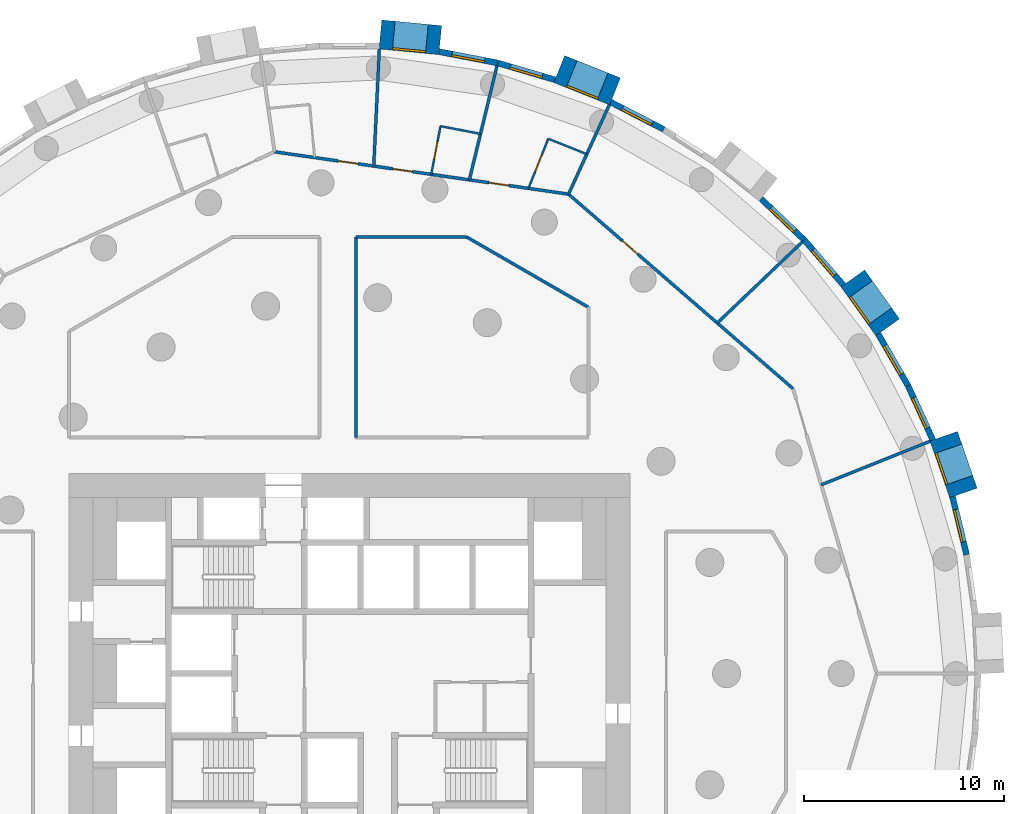
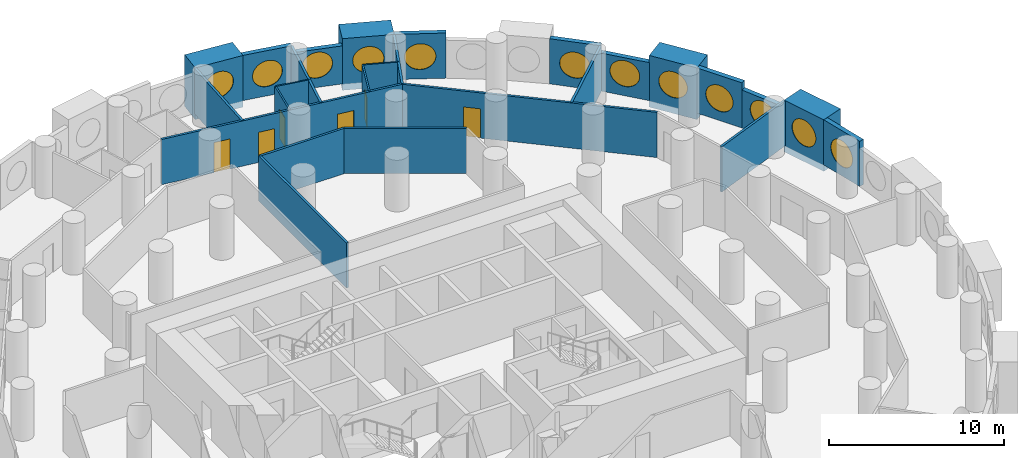
# One storey, part 9 of 11: 26 walls, 12 windows, 6 doors, 18 openings.
"""IFC4 building model written with IfcOpenShell, lengths in metres."""

import ifcopenshell
import ifcopenshell.guid

model = None  # the IFC model being written
_history = None  # IfcOwnerHistory: only IFC2X3 demands one
_inside = {}  # id of a spatial element -> (the spatial element, [elements in it])
_under = {}  # id of a project, library or spatial element -> (it, [spatial elements below it])
_declared = {}  # id of a project -> (the project, [libraries it declares])
_typed = {}  # id of a type object -> (the type object, [elements of that type])
_made_of = {}  # id of a material, layer set ... -> (it, [elements and type objects made of it])


def new_model(schema):
    """Start an empty IFC model of exactly this schema.

    Asked for "IFC4X3", IfcOpenShell would pick the latest addendum, in which some entities
    have other attributes; the version numbers below select the first issue.
    IFC2X3 requires an IfcOwnerHistory on every rooted entity: one is made here for all.
    """
    global model, _history
    if schema == "IFC4X3":
        model = ifcopenshell.file(schema_version=(4, 3, 0, 0))
    else:
        model = ifcopenshell.file(schema=schema)
    _inside.clear()
    _under.clear()
    _declared.clear()
    _typed.clear()
    _made_of.clear()
    _history = None
    if model.schema == "IFC2X3":
        org = make("IfcOrganization", Name="unknown")
        user = make(
            "IfcPersonAndOrganization",
            ThePerson=make("IfcPerson", FamilyName="unknown"),
            TheOrganization=org,
        )
        app = make(
            "IfcApplication",
            ApplicationDeveloper=org,
            Version="unknown",
            ApplicationFullName="unknown",
            ApplicationIdentifier="unknown",
        )
        _history = make(
            "IfcOwnerHistory",
            OwningUser=user,
            OwningApplication=app,
            ChangeAction="ADDED",
            CreationDate=0,
        )
    return model


def make(cls, **values):
    """One entity of the class cls with the attributes given. An attribute that is None is left unset."""
    return model.create_entity(
        cls, **{name: value for name, value in values.items() if value is not None}
    )


def rooted(cls, **values):
    """An entity with a GlobalId (a new one), such as an element, a storey or a relation."""
    return make(cls, GlobalId=ifcopenshell.guid.new(), OwnerHistory=_history, **values)


def si_unit(unit_type, name, prefix=None):
    """IfcSIUnit, for example si_unit("LENGTHUNIT", "METRE", prefix="MILLI")."""
    return make("IfcSIUnit", UnitType=unit_type, Prefix=prefix, Name=name)


def assignment(units):
    """IfcUnitAssignment: the units of a project."""
    return None if units is None else make("IfcUnitAssignment", Units=units)


def point(xyz):
    """IfcCartesianPoint."""
    return None if xyz is None else make("IfcCartesianPoint", Coordinates=xyz)


def direction(xyz):
    """IfcDirection."""
    return None if xyz is None else make("IfcDirection", DirectionRatios=xyz)


def frame(location, z_axis=None, x_axis=None):
    """IfcAxis2Placement3D, a coordinate frame: its origin and axes. An axis left out is left unset."""
    return make(
        "IfcAxis2Placement3D",
        Location=point(location),
        Axis=direction(z_axis),
        RefDirection=direction(x_axis),
    )


def frame_2d(location, x_axis=None):
    """IfcAxis2Placement2D, a coordinate frame in the plane: its origin and x axis."""
    return make(
        "IfcAxis2Placement2D", Location=point(location), RefDirection=direction(x_axis)
    )


def origin():
    """The frame at (0, 0, 0) with its axes left unset."""
    return frame((0.0, 0.0, 0.0))


def origin_2d():
    """The frame at (0, 0) in the plane with its x axis left unset."""
    return frame_2d((0.0, 0.0))


def place(relative_to, where):
    """IfcLocalPlacement: puts the frame where relative to a parent placement (None: the world)."""
    return make(
        "IfcLocalPlacement", PlacementRelTo=relative_to, RelativePlacement=where
    )


def context(
    kind, dimensions, precision=None, world=None, true_north=None, identifier=None
):
    """IfcGeometricRepresentationContext, for example the 3D "Model" context."""
    return make(
        "IfcGeometricRepresentationContext",
        ContextIdentifier=identifier,
        ContextType=kind,
        CoordinateSpaceDimension=dimensions,
        Precision=precision,
        WorldCoordinateSystem=world,
        TrueNorth=true_north,
    )


def subcontext(parent, identifier, kind, view, scale=None):
    """IfcGeometricRepresentationSubContext, for example "Body" below "Model"."""
    return make(
        "IfcGeometricRepresentationSubContext",
        ContextIdentifier=identifier,
        ContextType=kind,
        ParentContext=parent,
        TargetScale=scale,
        TargetView=view,
    )


def project(units=None, contexts=None):
    """IfcProject with its units and contexts."""
    return rooted(
        "IfcProject",
        Name="project",
        RepresentationContexts=contexts,
        UnitsInContext=assignment(units),
    )


def spatial(cls, under=None, at=None, **own):
    """A site, building, storey or space (cls), placed at a placement, below another one or the project."""
    s = rooted(cls, ObjectPlacement=at, **own)
    if under is not None:
        _under.setdefault(under.id(), (under, []))[1].append(s)
    return s


def profile(cls, at=None, kind="AREA", **sizes):
    """A parametric profile (cls). Its sizes go by their IFC names, for example OverallWidth=200.0."""
    return make(cls, ProfileType=kind, Position=at, **sizes)


def rectangle(**sizes):
    """IfcRectangleProfileDef."""
    return profile("IfcRectangleProfileDef", **sizes)


def circle(**sizes):
    """IfcCircleProfileDef."""
    return profile("IfcCircleProfileDef", **sizes)


def extrude(swept, where, along, depth):
    """IfcExtrudedAreaSolid: the profile swept, set in the frame where, extruded along a direction by depth."""
    return make(
        "IfcExtrudedAreaSolid",
        SweptArea=swept,
        Position=where,
        ExtrudedDirection=direction(along),
        Depth=depth,
    )


def shape(context_of_items, identifier, shape_type, items):
    """IfcShapeRepresentation: the items that make up one representation, for example the "Body"."""
    return make(
        "IfcShapeRepresentation",
        ContextOfItems=context_of_items,
        RepresentationIdentifier=identifier,
        RepresentationType=shape_type,
        Items=items,
    )


def material(Name=None, Category=None):
    """IfcMaterial."""
    return make("IfcMaterial", Name=Name, Category=Category)


def layer(
    of_material, thickness, ventilated=None, Name=None, Category=None, Priority=None
):
    """IfcMaterialLayer: one layer of a wall or slab, of a material (None: an air gap)."""
    return make(
        "IfcMaterialLayer",
        Material=of_material,
        LayerThickness=thickness,
        IsVentilated=ventilated,
        Name=Name,
        Category=Category,
        Priority=Priority,
    )


def layer_set(layers, Name=None):
    """IfcMaterialLayerSet."""
    return make("IfcMaterialLayerSet", MaterialLayers=layers, LayerSetName=Name)


def made_of(thing, what):
    """Note that an element or type object is made of a material, layer set ...; save() writes the relation."""
    if what is not None:
        _made_of.setdefault(what.id(), (what, []))[1].append(thing)
    return thing


def type_object(cls, material=None, **own):
    """A type object (cls), such as IfcWallType, which elements share."""
    return made_of(rooted(cls, **own), material)


def element(
    cls,
    number,
    at=None,
    inside=None,
    cuts=None,
    type_object=None,
    material=None,
    context=None,
    identifier="Body",
    shape_type=None,
    held_by="IfcProductDefinitionShape",
    body=None,
    shapes=None,
    **own,
):
    """One element of the class cls, such as IfcWall. Its Tag is "e" and its number.

    at: its placement. inside: the storey or other place that contains it. cuts: it is an
    opening in that element (IfcRelVoidsElement). A single representation is given by context,
    identifier, shape_type and body (its items); several are given by shapes. held_by: the class
    of the entity that holds the representations. save() writes the other relations.
    """
    e = rooted(cls, Tag="e%d" % number, ObjectPlacement=at, **own)
    if body is not None:
        shapes = [shape(context, identifier, shape_type, body)]
    if shapes is not None:
        e.Representation = make(held_by, Representations=shapes)
    if inside is not None:
        _inside.setdefault(inside.id(), (inside, []))[1].append(e)
    if cuts is not None:
        rooted(
            "IfcRelVoidsElement", RelatingBuildingElement=cuts, RelatedOpeningElement=e
        )
    if type_object is not None:
        _typed.setdefault(type_object.id(), (type_object, []))[1].append(e)
    return made_of(e, material)


def fill(opening, filler):
    """IfcRelFillsElement: the door or window that sits in an opening."""
    return rooted(
        "IfcRelFillsElement",
        RelatingOpeningElement=opening,
        RelatedBuildingElement=filler,
    )


def aggregate(whole, parts):
    """IfcRelAggregates: a whole, such as a stair, and the parts it consists of."""
    return rooted("IfcRelAggregates", RelatingObject=whole, RelatedObjects=parts)


def save(model, path):
    """Write the relations noted so far, then the file.

    IfcRelAggregates (storeys below a building ...), IfcRelContainedInSpatialStructure (elements
    in a storey), IfcRelDefinesByType, IfcRelAssociatesMaterial and IfcRelDeclares: one each for
    every whole, place, type object, material and project.
    """
    for whole, parts in _under.values():
        aggregate(whole, parts)
    for where, things in _inside.values():
        rooted(
            "IfcRelContainedInSpatialStructure",
            RelatedElements=things,
            RelatingStructure=where,
        )
    for kind, things in _typed.values():
        rooted("IfcRelDefinesByType", RelatedObjects=things, RelatingType=kind)
    for what, things in _made_of.values():
        rooted("IfcRelAssociatesMaterial", RelatedObjects=things, RelatingMaterial=what)
    for by, libraries in _declared.values():
        rooted("IfcRelDeclares", RelatingContext=by, RelatedDefinitions=libraries)
    model.write(path)


model = new_model("IFC4")

# Units and contexts
model_context = context("Model", 3, precision=1e-05, world=origin(), true_north=direction((0.0, 1.0)))
body_context = subcontext(model_context, "Body", "Model", "MODEL_VIEW")
ifc_project = project(units=[si_unit("LENGTHUNIT", "METRE"), si_unit("AREAUNIT", "SQUARE_METRE"), si_unit("VOLUMEUNIT", "CUBIC_METRE"), si_unit("PLANEANGLEUNIT", "RADIAN"), si_unit("MASSUNIT", "GRAM", prefix="KILO")], contexts=[model_context])

# Site, building, storey
site_placement = place(None, origin())
site = spatial("IfcSite", under=ifc_project, at=site_placement, CompositionType="ELEMENT")
building_placement = place(site_placement, origin())
building = spatial("IfcBuilding", under=site, at=building_placement, Name="Tracery Tower", CompositionType="ELEMENT")
storey_placement = place(building_placement, frame((0.0, 0.0, 96.60009765625)))
storey = spatial("IfcBuildingStorey", under=building, at=storey_placement, Name="L24", CompositionType="ELEMENT", Elevation=96.60009765625)

# Wall, opening, window
ifc_material_1 = material(Name="Precast concrete C50/60", Category="concrete")
ifc_layer_1 = layer(ifc_material_1, 1.449951171875)
ifc_layer_set_1 = layer_set([ifc_layer_1], Name="Deep-set bay unit 3000 x 3600, slab edge 450")
wall_type_1 = type_object("IfcWallType", Name="Deep-set bay unit 3000 x 3600, slab edge 450", PredefinedType="ELEMENTEDWALL", material=ifc_layer_set_1)
wall_1_placement = place(storey_placement, frame((30.649169921875, 9.0205078125, -0.4501953125), z_axis=(0.0, 0.0, 1.0), x_axis=(-0.327071431777, 0.944999618262, 0.0)))
wall_1 = element("IfcWall", 1, at=wall_1_placement, inside=storey, type_object=wall_type_1, Name="Deep-set bay unit 4 at L24", PredefinedType="ELEMENTEDWALL", context=body_context, shape_type="SweptSolid", body=[
    extrude(rectangle(XDim=3.0, YDim=1.449951171875, at=frame_2d((1.5, 0.0))), origin(), (0.0, 0.0, 1.0), 3.60009765625),
])
opening_1_placement = place(wall_1_placement, frame((1.5, 0.0, 2.0)))
opening_1 = element("IfcOpeningElement", 2, at=opening_1_placement, cuts=wall_1, Name="Opening WN1", PredefinedType="OPENING", context=body_context, shape_type="SweptSolid", body=[
    extrude(circle(Radius=0.9000244140625, at=origin_2d()), frame((0.0, 0.73486328125, 0.0), z_axis=(0.0, -1.0, 0.0), x_axis=(1.0, 0.0, 0.0)), (0.0, 0.0, 1.0), 1.469970703125),
])
ifc_material_2 = material(Name="Aluminium frame with tinted double glazing", Category="aluminium")
window_type = type_object("IfcWindowType", Name="Round window 1800", PartitioningType="SINGLE_PANEL", PredefinedType="WINDOW", material=ifc_material_2)
window_1_placement = place(opening_1_placement, origin())
window_1 = element("IfcWindow", 3, at=window_1_placement, inside=storey, type_object=window_type, Name="Round window 4 at L24", OverallHeight=1.800048828125, OverallWidth=1.800048828125, PartitioningType="SINGLE_PANEL", PredefinedType="WINDOW", context=body_context, shape_type="SweptSolid", body=[
    extrude(circle(Radius=0.9000244140625, at=origin_2d()), frame((0.0, 0.69482421875, 0.0), z_axis=(0.0, -1.0, 0.0), x_axis=(1.0, 0.0, 0.0)), (0.0, 0.0, 1.0), 0.10009765625),
])
fill(opening_1, window_1)

wall_2_placement = place(storey_placement, frame((26.866455078125, 17.2900390625, -0.4501953125), z_axis=(0.0, 0.0, 1.0), x_axis=(-0.580090570606, 0.814551981088, 0.0)))
wall_2 = element("IfcWall", 4, at=wall_2_placement, inside=storey, type_object=wall_type_1, Name="Deep-set bay unit 7 at L24", PredefinedType="ELEMENTEDWALL", context=body_context, shape_type="SweptSolid", body=[
    extrude(rectangle(XDim=3.0, YDim=1.449951171875, at=frame_2d((1.5, 0.0))), origin(), (0.0, 0.0, 1.0), 3.60009765625),
])
opening_2_placement = place(wall_2_placement, frame((1.5, 0.0, 2.0)))
opening_2 = element("IfcOpeningElement", 5, at=opening_2_placement, cuts=wall_2, Name="Opening WN1", PredefinedType="OPENING", context=body_context, shape_type="SweptSolid", body=[
    extrude(circle(Radius=0.9000244140625, at=origin_2d()), frame((0.0, 0.73486328125, 0.0), z_axis=(0.0, -1.0, 0.0), x_axis=(1.0, 0.0, 0.0)), (0.0, 0.0, 1.0), 1.469970703125),
])
window_2_placement = place(opening_2_placement, origin())
window_2 = element("IfcWindow", 6, at=window_2_placement, inside=storey, type_object=window_type, Name="Round window 7 at L24", OverallHeight=1.800048828125, OverallWidth=1.800048828125, PartitioningType="SINGLE_PANEL", PredefinedType="WINDOW", context=body_context, shape_type="SweptSolid", body=[
    extrude(circle(Radius=0.9000244140625, at=origin_2d()), frame((0.0, 0.69482421875, 0.0), z_axis=(0.0, -1.0, 0.0), x_axis=(1.0, 0.0, 0.0)), (0.0, 0.0, 1.0), 0.10009765625),
])
fill(opening_2, window_2)

wall_3_placement = place(storey_placement, frame((13.253662109375, 29.0703125, -0.4501953125), z_axis=(0.0, 0.0, 1.0), x_axis=(-0.928358776184, 0.371685327504, 0.0)))
wall_3 = element("IfcWall", 7, at=wall_3_placement, inside=storey, type_object=wall_type_1, Name="Deep-set bay unit 13 at L24", PredefinedType="ELEMENTEDWALL", context=body_context, shape_type="SweptSolid", body=[
    extrude(rectangle(XDim=2.999755859375, YDim=1.449951171875, at=frame_2d((1.5, 0.0))), origin(), (0.0, 0.0, 1.0), 3.60009765625),
])
opening_3_placement = place(wall_3_placement, frame((1.5, 0.0, 2.0)))
opening_3 = element("IfcOpeningElement", 8, at=opening_3_placement, cuts=wall_3, Name="Opening WN1", PredefinedType="OPENING", context=body_context, shape_type="SweptSolid", body=[
    extrude(circle(Radius=0.9000244140625, at=origin_2d()), frame((0.0, 0.73486328125, 0.0), z_axis=(0.0, -1.0, 0.0), x_axis=(1.0, 0.0, 0.0)), (0.0, 0.0, 1.0), 1.469970703125),
])
window_3_placement = place(opening_3_placement, origin())
window_3 = element("IfcWindow", 9, at=window_3_placement, inside=storey, type_object=window_type, Name="Round window 13 at L24", OverallHeight=1.800048828125, OverallWidth=1.800048828125, PartitioningType="SINGLE_PANEL", PredefinedType="WINDOW", context=body_context, shape_type="SweptSolid", body=[
    extrude(circle(Radius=0.9000244140625, at=origin_2d()), frame((0.0, 0.69482421875, 0.0), z_axis=(0.0, -1.0, 0.0), x_axis=(1.0, 0.0, 0.0)), (0.0, 0.0, 1.0), 0.10009765625),
])
fill(opening_3, window_3)

wall_4_placement = place(storey_placement, frame((4.52685546875, 31.626708984375, -0.4501953125), z_axis=(0.0, 0.0, 1.0), x_axis=(-0.995472768558, 0.09504718333, 0.0)))
wall_4 = element("IfcWall", 10, at=wall_4_placement, inside=storey, type_object=wall_type_1, Name="Deep-set bay unit 16 at L24", PredefinedType="ELEMENTEDWALL", context=body_context, shape_type="SweptSolid", body=[
    extrude(rectangle(XDim=3.000244140625, YDim=1.449951171875, at=frame_2d((1.5, 0.0))), origin(), (0.0, 0.0, 1.0), 3.60009765625),
])
opening_4_placement = place(wall_4_placement, frame((1.5, 0.0, 2.0)))
opening_4 = element("IfcOpeningElement", 11, at=opening_4_placement, cuts=wall_4, Name="Opening WN1", PredefinedType="OPENING", context=body_context, shape_type="SweptSolid", body=[
    extrude(circle(Radius=0.9000244140625, at=origin_2d()), frame((0.0, 0.73486328125, 0.0), z_axis=(0.0, -1.0, 0.0), x_axis=(1.0, 0.0, 0.0)), (0.0, 0.0, 1.0), 1.469970703125),
])
window_4_placement = place(opening_4_placement, origin())
window_4 = element("IfcWindow", 12, at=window_4_placement, inside=storey, type_object=window_type, Name="Round window 16 at L24", OverallHeight=1.800048828125, OverallWidth=1.800048828125, PartitioningType="SINGLE_PANEL", PredefinedType="WINDOW", context=body_context, shape_type="SweptSolid", body=[
    extrude(circle(Radius=0.9000244140625, at=origin_2d()), frame((0.0, 0.69482421875, 0.0), z_axis=(0.0, -1.0, 0.0), x_axis=(1.0, 0.0, 0.0)), (0.0, 0.0, 1.0), 0.10009765625),
])
fill(opening_4, window_4)

ifc_material_3 = material(Name="Precast concrete C50/60", Category="concrete")
ifc_layer_2 = layer(ifc_material_3, 0.300048828125)
ifc_layer_set_2 = layer_set([ifc_layer_2], Name="Facade panel 3000 x 2650")
wall_type_2 = type_object("IfcWallType", Name="Facade panel 3000 x 2650", PredefinedType="SOLIDWALL", material=ifc_layer_set_2)
wall_5_placement = place(storey_placement, frame((29.12451171875, 11.666259765625, 0.0), z_axis=(0.0, 0.0, 1.0), x_axis=(-0.415407317162, 0.909635509888, 0.0)))
wall_5 = element("IfcWall", 13, at=wall_5_placement, inside=storey, type_object=wall_type_2, Name="Facade panel 5 at L24", PredefinedType="SOLIDWALL", context=body_context, shape_type="SweptSolid", body=[
    extrude(rectangle(XDim=2.979736328125, YDim=0.300048828125, at=frame_2d((1.48974609375, 0.0))), origin(), (0.0, 0.0, 1.0), 2.64990234375),
])
opening_5_placement = place(wall_5_placement, frame((1.48974609375, 0.0, 1.5498046875)))
opening_5 = element("IfcOpeningElement", 14, at=opening_5_placement, cuts=wall_5, Name="Opening WN1", PredefinedType="OPENING", context=body_context, shape_type="SweptSolid", body=[
    extrude(circle(Radius=0.9000244140625, at=origin_2d()), frame((0.0, 0.159912109375, 0.0), z_axis=(0.0, -1.0, 0.0), x_axis=(1.0, 0.0, 0.0)), (0.0, 0.0, 1.0), 0.320068359375),
])
window_5_placement = place(opening_5_placement, origin())
window_5 = element("IfcWindow", 15, at=window_5_placement, inside=storey, type_object=window_type, Name="Round window 5 at L24", OverallHeight=1.800048828125, OverallWidth=1.800048828125, PartitioningType="SINGLE_PANEL", PredefinedType="WINDOW", context=body_context, shape_type="SweptSolid", body=[
    extrude(circle(Radius=0.9000244140625, at=origin_2d()), frame((0.0, 0.1201171875, 0.0), z_axis=(0.0, -1.0, 0.0), x_axis=(1.0, 0.0, 0.0)), (0.0, 0.0, 1.0), 0.10009765625),
])
fill(opening_5, window_5)

wall_6_placement = place(storey_placement, frame((24.657958984375, 19.39892578125, 0.0), z_axis=(0.0, 0.0, 1.0), x_axis=(-0.654830712471, 0.755775587066, 0.0)))
wall_6 = element("IfcWall", 16, at=wall_6_placement, inside=storey, type_object=wall_type_2, Name="Facade panel 8 at L24", PredefinedType="SOLIDWALL", context=body_context, shape_type="SweptSolid", body=[
    extrude(rectangle(XDim=2.979736328125, YDim=0.300048828125, at=frame_2d((1.48974609375, 0.0))), origin(), (0.0, 0.0, 1.0), 2.64990234375),
])
opening_6_placement = place(wall_6_placement, frame((1.48974609375, 0.0, 1.5498046875)))
opening_6 = element("IfcOpeningElement", 17, at=opening_6_placement, cuts=wall_6, Name="Opening WN1", PredefinedType="OPENING", context=body_context, shape_type="SweptSolid", body=[
    extrude(circle(Radius=0.9000244140625, at=origin_2d()), frame((0.0, 0.159912109375, 0.0), z_axis=(0.0, -1.0, 0.0), x_axis=(1.0, 0.0, 0.0)), (0.0, 0.0, 1.0), 0.320068359375),
])
window_6_placement = place(opening_6_placement, origin())
window_6 = element("IfcWindow", 18, at=window_6_placement, inside=storey, type_object=window_type, Name="Round window 8 at L24", OverallHeight=1.800048828125, OverallWidth=1.800048828125, PartitioningType="SINGLE_PANEL", PredefinedType="WINDOW", context=body_context, shape_type="SweptSolid", body=[
    extrude(circle(Radius=0.9000244140625, at=origin_2d()), frame((0.0, 0.1201171875, 0.0), z_axis=(0.0, -1.0, 0.0), x_axis=(1.0, 0.0, 0.0)), (0.0, 0.0, 1.0), 0.10009765625),
])
fill(opening_6, window_6)

wall_7_placement = place(storey_placement, frame((10.255859375, 29.650634765625, 0.0), z_axis=(0.0, 0.0, 1.0), x_axis=(-0.959507586834, 0.28168278401, 0.0)))
wall_7 = element("IfcWall", 19, at=wall_7_placement, inside=storey, type_object=wall_type_2, Name="Facade panel 14 at L24", PredefinedType="SOLIDWALL", context=body_context, shape_type="SweptSolid", body=[
    extrude(rectangle(XDim=2.979736328125, YDim=0.300048828125, at=frame_2d((1.48974609375, 0.0))), origin(), (0.0, 0.0, 1.0), 2.64990234375),
])
opening_7_placement = place(wall_7_placement, frame((1.48974609375, 0.0, 1.5498046875)))
opening_7 = element("IfcOpeningElement", 20, at=opening_7_placement, cuts=wall_7, Name="Opening WN1", PredefinedType="OPENING", context=body_context, shape_type="SweptSolid", body=[
    extrude(circle(Radius=0.9000244140625, at=origin_2d()), frame((0.0, 0.159912109375, 0.0), z_axis=(0.0, -1.0, 0.0), x_axis=(1.0, 0.0, 0.0)), (0.0, 0.0, 1.0), 0.320068359375),
])
window_7_placement = place(opening_7_placement, origin())
window_7 = element("IfcWindow", 21, at=window_7_placement, inside=storey, type_object=window_type, Name="Round window 14 at L24", OverallHeight=1.800048828125, OverallWidth=1.800048828125, PartitioningType="SINGLE_PANEL", PredefinedType="WINDOW", context=body_context, shape_type="SweptSolid", body=[
    extrude(circle(Radius=0.9000244140625, at=origin_2d()), frame((0.0, 0.1201171875, 0.0), z_axis=(0.0, -1.0, 0.0), x_axis=(1.0, 0.0, 0.0)), (0.0, 0.0, 1.0), 0.10009765625),
])
fill(opening_7, window_7)

ifc_material_4 = material(Name="Precast concrete C50/60", Category="concrete")
ifc_layer_3 = layer(ifc_material_4, 0.300048828125)
ifc_layer_set_3 = layer_set([ifc_layer_3], Name="Facade panel 3000 x 3150")
wall_type_3 = type_object("IfcWallType", Name="Facade panel 3000 x 3150", PredefinedType="SOLIDWALL", material=ifc_layer_set_3)
wall_8_placement = place(storey_placement, frame((30.807373046875, 5.937744140625, 0.0), z_axis=(0.0, 0.0, 1.0), x_axis=(-0.235743081534, 0.971815414319, 0.0)))
wall_8 = element("IfcWall", 22, at=wall_8_placement, inside=storey, type_object=wall_type_3, Name="Facade panel 3 at L24", PredefinedType="SOLIDWALL", context=body_context, shape_type="SweptSolid", body=[
    extrude(rectangle(XDim=2.9794921875, YDim=0.300048828125, at=frame_2d((1.48974609375, 0.0))), origin(), (0.0, 0.0, 1.0), 3.14990234375),
])
opening_8_placement = place(wall_8_placement, frame((1.48974609375, 0.0, 1.5498046875)))
opening_8 = element("IfcOpeningElement", 23, at=opening_8_placement, cuts=wall_8, Name="Opening WN1", PredefinedType="OPENING", context=body_context, shape_type="SweptSolid", body=[
    extrude(circle(Radius=0.9000244140625, at=origin_2d()), frame((0.0, 0.159912109375, 0.0), z_axis=(0.0, -1.0, 0.0), x_axis=(1.0, 0.0, 0.0)), (0.0, 0.0, 1.0), 0.320068359375),
])
window_8_placement = place(opening_8_placement, origin())
window_8 = element("IfcWindow", 24, at=window_8_placement, inside=storey, type_object=window_type, Name="Round window 3 at L24", OverallHeight=1.800048828125, OverallWidth=1.800048828125, PartitioningType="SINGLE_PANEL", PredefinedType="WINDOW", context=body_context, shape_type="SweptSolid", body=[
    extrude(circle(Radius=0.9000244140625, at=origin_2d()), frame((0.0, 0.1201171875, 0.0), z_axis=(0.0, -1.0, 0.0), x_axis=(1.0, 0.0, 0.0)), (0.0, 0.0, 1.0), 0.10009765625),
])
fill(opening_8, window_8)

wall_9_placement = place(storey_placement, frame((27.88671875, 14.376708984375, 0.0), z_axis=(0.0, 0.0, 1.0), x_axis=(-0.499999078476, 0.866025935826, 0.0)))
wall_9 = element("IfcWall", 25, at=wall_9_placement, inside=storey, type_object=wall_type_3, Name="Facade panel 6 at L24", PredefinedType="SOLIDWALL", context=body_context, shape_type="SweptSolid", body=[
    extrude(rectangle(XDim=2.9794921875, YDim=0.300048828125, at=frame_2d((1.48974609375, 0.0))), origin(), (0.0, 0.0, 1.0), 3.14990234375),
])
opening_9_placement = place(wall_9_placement, frame((1.48974609375, 0.0, 1.5498046875)))
opening_9 = element("IfcOpeningElement", 26, at=opening_9_placement, cuts=wall_9, Name="Opening WN1", PredefinedType="OPENING", context=body_context, shape_type="SweptSolid", body=[
    extrude(circle(Radius=0.9000244140625, at=origin_2d()), frame((0.0, 0.159912109375, 0.0), z_axis=(0.0, -1.0, 0.0), x_axis=(1.0, 0.0, 0.0)), (0.0, 0.0, 1.0), 0.320068359375),
])
window_9_placement = place(opening_9_placement, origin())
window_9 = element("IfcWindow", 27, at=window_9_placement, inside=storey, type_object=window_type, Name="Round window 6 at L24", OverallHeight=1.800048828125, OverallWidth=1.800048828125, PartitioningType="SINGLE_PANEL", PredefinedType="WINDOW", context=body_context, shape_type="SweptSolid", body=[
    extrude(circle(Radius=0.9000244140625, at=origin_2d()), frame((0.0, 0.1201171875, 0.0), z_axis=(0.0, -1.0, 0.0), x_axis=(1.0, 0.0, 0.0)), (0.0, 0.0, 1.0), 0.10009765625),
])
fill(opening_9, window_9)

wall_10_placement = place(storey_placement, frame((22.706787109375, 21.65087890625, 0.0), z_axis=(0.0, 0.0, 1.0), x_axis=(-0.723744206617, 0.690068346896, 0.0)))
wall_10 = element("IfcWall", 28, at=wall_10_placement, inside=storey, type_object=wall_type_3, Name="Facade panel 9 at L24", PredefinedType="SOLIDWALL", context=body_context, shape_type="SweptSolid", body=[
    extrude(rectangle(XDim=2.979736328125, YDim=0.300048828125, at=frame_2d((1.48974609375, 0.0))), origin(), (0.0, 0.0, 1.0), 3.14990234375),
])
opening_10_placement = place(wall_10_placement, frame((1.48974609375, 0.0, 1.5498046875)))
opening_10 = element("IfcOpeningElement", 29, at=opening_10_placement, cuts=wall_10, Name="Opening WN1", PredefinedType="OPENING", context=body_context, shape_type="SweptSolid", body=[
    extrude(circle(Radius=0.9000244140625, at=origin_2d()), frame((0.0, 0.159912109375, 0.0), z_axis=(0.0, -1.0, 0.0), x_axis=(1.0, 0.0, 0.0)), (0.0, 0.0, 1.0), 0.320068359375),
])
window_10_placement = place(opening_10_placement, origin())
window_10 = element("IfcWindow", 30, at=window_10_placement, inside=storey, type_object=window_type, Name="Round window 9 at L24", OverallHeight=1.800048828125, OverallWidth=1.800048828125, PartitioningType="SINGLE_PANEL", PredefinedType="WINDOW", context=body_context, shape_type="SweptSolid", body=[
    extrude(circle(Radius=0.9000244140625, at=origin_2d()), frame((0.0, 0.1201171875, 0.0), z_axis=(0.0, -1.0, 0.0), x_axis=(1.0, 0.0, 0.0)), (0.0, 0.0, 1.0), 0.10009765625),
])
fill(opening_10, window_10)

wall_11_placement = place(storey_placement, frame((15.687255859375, 27.171142578125, 0.0), z_axis=(0.0, 0.0, 1.0), x_axis=(-0.888853225096, 0.4581920386, 0.0)))
wall_11 = element("IfcWall", 31, at=wall_11_placement, inside=storey, type_object=wall_type_3, Name="Facade panel 12 at L24", PredefinedType="SOLIDWALL", context=body_context, shape_type="SweptSolid", body=[
    extrude(rectangle(XDim=2.9794921875, YDim=0.300048828125, at=frame_2d((1.48974609375, 0.0))), origin(), (0.0, 0.0, 1.0), 3.14990234375),
])
opening_11_placement = place(wall_11_placement, frame((1.48974609375, 0.0, 1.5498046875)))
opening_11 = element("IfcOpeningElement", 32, at=opening_11_placement, cuts=wall_11, Name="Opening WN1", PredefinedType="OPENING", context=body_context, shape_type="SweptSolid", body=[
    extrude(circle(Radius=0.9000244140625, at=origin_2d()), frame((0.0, 0.159912109375, 0.0), z_axis=(0.0, -1.0, 0.0), x_axis=(1.0, 0.0, 0.0)), (0.0, 0.0, 1.0), 0.320068359375),
])
window_11_placement = place(opening_11_placement, origin())
window_11 = element("IfcWindow", 33, at=window_11_placement, inside=storey, type_object=window_type, Name="Round window 12 at L24", OverallHeight=1.800048828125, OverallWidth=1.800048828125, PartitioningType="SINGLE_PANEL", PredefinedType="WINDOW", context=body_context, shape_type="SweptSolid", body=[
    extrude(circle(Radius=0.9000244140625, at=origin_2d()), frame((0.0, 0.1201171875, 0.0), z_axis=(0.0, -1.0, 0.0), x_axis=(1.0, 0.0, 0.0)), (0.0, 0.0, 1.0), 0.10009765625),
])
fill(opening_11, window_11)

wall_12_placement = place(storey_placement, frame((7.396728515625, 30.489990234375, 0.0), z_axis=(0.0, 0.0, 1.0), x_axis=(-0.981924535406, 0.189272836848, 0.0)))
wall_12 = element("IfcWall", 34, at=wall_12_placement, inside=storey, type_object=wall_type_3, Name="Facade panel 15 at L24", PredefinedType="SOLIDWALL", context=body_context, shape_type="SweptSolid", body=[
    extrude(rectangle(XDim=2.979736328125, YDim=0.300048828125, at=frame_2d((1.48974609375, 0.0))), origin(), (0.0, 0.0, 1.0), 3.14990234375),
])
opening_12_placement = place(wall_12_placement, frame((1.48974609375, 0.0, 1.5498046875)))
opening_12 = element("IfcOpeningElement", 35, at=opening_12_placement, cuts=wall_12, Name="Opening WN1", PredefinedType="OPENING", context=body_context, shape_type="SweptSolid", body=[
    extrude(circle(Radius=0.9000244140625, at=origin_2d()), frame((0.0, 0.159912109375, 0.0), z_axis=(0.0, -1.0, 0.0), x_axis=(1.0, 0.0, 0.0)), (0.0, 0.0, 1.0), 0.320068359375),
])
window_12_placement = place(opening_12_placement, origin())
window_12 = element("IfcWindow", 36, at=window_12_placement, inside=storey, type_object=window_type, Name="Round window 15 at L24", OverallHeight=1.800048828125, OverallWidth=1.800048828125, PartitioningType="SINGLE_PANEL", PredefinedType="WINDOW", context=body_context, shape_type="SweptSolid", body=[
    extrude(circle(Radius=0.9000244140625, at=origin_2d()), frame((0.0, 0.1201171875, 0.0), z_axis=(0.0, -1.0, 0.0), x_axis=(1.0, 0.0, 0.0)), (0.0, 0.0, 1.0), 0.10009765625),
])
fill(opening_12, window_12)

# Wall
ifc_material_5 = material(Name="Plasterboard on steel studs", Category="steel")
ifc_layer_4 = layer(ifc_material_5, 0.10009765625)
ifc_layer_set_4 = layer_set([ifc_layer_4], Name="Partition 100 wet wall")
wall_type_4 = type_object("IfcWallType", Name="Partition 100 wet wall", PredefinedType="PARTITIONING", material=ifc_layer_set_4)
wall_13_placement = place(storey_placement, frame((9.9208984375, 26.7041015625, 0.0), z_axis=(0.0, 0.0, 1.0), x_axis=(0.928346586681, -0.37171577179, 0.0)))
element("IfcWall", 37, at=wall_13_placement, inside=storey, type_object=wall_type_4, Name="Wet wall RA7-050", PredefinedType="PARTITIONING", context=body_context, shape_type="SweptSolid", body=[
    extrude(rectangle(XDim=2.071533203125, YDim=0.10009765625, at=frame_2d((1.03564453125, 0.0))), origin(), (0.0, 0.0, 1.0), 3.14990234375),
])

# Wall, opening, door
wall_14_placement = place(storey_placement, frame((8.929931640625, 24.22802734375, 0.0), z_axis=(0.0, 0.0, 1.0), x_axis=(0.371564281805, 0.928407229876, 0.0)))
wall_14 = element("IfcWall", 38, at=wall_14_placement, inside=storey, type_object=wall_type_4, Name="Wet wall RA7-051", PredefinedType="PARTITIONING", context=body_context, shape_type="SweptSolid", body=[
    extrude(rectangle(XDim=2.6669921875, YDim=0.10009765625, at=frame_2d((1.33349609375, 0.0))), origin(), (0.0, 0.0, 1.0), 3.14990234375),
])
opening_13_placement = place(wall_14_placement, frame((0.884033203125, 0.0, 0.0)))
opening_13 = element("IfcOpeningElement", 39, at=opening_13_placement, cuts=wall_14, Name="Opening RA7-10", PredefinedType="OPENING", context=body_context, shape_type="SweptSolid", body=[
    extrude(rectangle(XDim=0.89990234375, YDim=2.0400390625, at=frame_2d((0.449951171875, 1.02001953125))), frame((0.0, 0.050048828125, 0.0), z_axis=(0.0, -1.0, 0.0), x_axis=(1.0, 0.0, 0.0)), (0.0, 0.0, 1.0), 0.10009765625),
])
ifc_material_6 = material(Name="Timber door leaf", Category="wood")
door_type_1 = type_object("IfcDoorType", Name="Door en-suite 900", OperationType="NOTDEFINED", PredefinedType="DOOR", material=ifc_material_6)
door_1_placement = place(opening_13_placement, origin())
door_1 = element("IfcDoor", 40, at=door_1_placement, inside=storey, type_object=door_type_1, Name="En-suite door RA7-10", OperationType="SINGLE_SWING_LEFT", OverallHeight=2.0400390625, OverallWidth=0.89990234375, PredefinedType="DOOR", context=body_context, shape_type="SweptSolid", body=[
    extrude(rectangle(XDim=0.89990234375, YDim=2.0400390625, at=frame_2d((0.449951171875, 1.02001953125))), frame((0.0, 0.02490234375, 0.0), z_axis=(0.0, -1.0, 0.0), x_axis=(1.0, 0.0, 0.0)), (0.0, 0.0, 1.0), 0.050048828125),
])
fill(opening_13, door_1)

# Wall
wall_15_placement = place(storey_placement, frame((4.541015625, 27.333984375, 0.0), z_axis=(0.0, 0.0, 1.0), x_axis=(0.981919009751, -0.189301501024, 0.0)))
element("IfcWall", 41, at=wall_15_placement, inside=storey, type_object=wall_type_4, Name="Wet wall RA7-053", PredefinedType="PARTITIONING", context=body_context, shape_type="SweptSolid", body=[
    extrude(rectangle(XDim=2.033935546875, YDim=0.10009765625, at=frame_2d((1.01708984375, 0.0))), origin(), (0.0, 0.0, 1.0), 3.14990234375),
])

# Wall, opening, door
wall_16_placement = place(storey_placement, frame((4.076904296875, 24.926025390625, 0.0), z_axis=(0.0, 0.0, 1.0), x_axis=(0.18925724964, 0.981927539821, 0.0)))
wall_16 = element("IfcWall", 42, at=wall_16_placement, inside=storey, type_object=wall_type_4, Name="Wet wall RA7-054", PredefinedType="PARTITIONING", context=body_context, shape_type="SweptSolid", body=[
    extrude(rectangle(XDim=2.452392578125, YDim=0.10009765625, at=frame_2d((1.22607421875, 0.0))), origin(), (0.0, 0.0, 1.0), 3.14990234375),
])
opening_14_placement = place(wall_16_placement, frame((0.7763671875, 0.0, 0.0)))
opening_14 = element("IfcOpeningElement", 43, at=opening_14_placement, cuts=wall_16, Name="Opening RA7-12", PredefinedType="OPENING", context=body_context, shape_type="SweptSolid", body=[
    extrude(rectangle(XDim=0.89990234375, YDim=2.0400390625, at=frame_2d((0.449951171875, 1.02001953125))), frame((0.0, 0.050048828125, 0.0), z_axis=(0.0, -1.0, 0.0), x_axis=(1.0, 0.0, 0.0)), (0.0, 0.0, 1.0), 0.10009765625),
])
door_2_placement = place(opening_14_placement, origin())
door_2 = element("IfcDoor", 44, at=door_2_placement, inside=storey, type_object=door_type_1, Name="En-suite door RA7-12", OperationType="SINGLE_SWING_LEFT", OverallHeight=2.0400390625, OverallWidth=0.89990234375, PredefinedType="DOOR", context=body_context, shape_type="SweptSolid", body=[
    extrude(rectangle(XDim=0.89990234375, YDim=2.0400390625, at=frame_2d((0.449951171875, 1.02001953125))), frame((0.0, 0.02490234375, 0.0), z_axis=(0.0, -1.0, 0.0), x_axis=(1.0, 0.0, 0.0)), (0.0, 0.0, 1.0), 0.050048828125),
])
fill(opening_14, door_2)

# Walls
ifc_material_7 = material(Name="Plasterboard on steel studs", Category="steel")
ifc_layer_5 = layer(ifc_material_7, 0.14990234375)
ifc_layer_set_5 = layer_set([ifc_layer_5], Name="Partition 150 acoustic unit wall")
wall_type_5 = type_object("IfcWallType", Name="Partition 150 acoustic unit wall", PredefinedType="PARTITIONING", material=ifc_layer_set_5)
wall_17_placement = place(storey_placement, frame((23.550048828125, 9.427978515625, 0.0), z_axis=(0.0, 0.0, 1.0), x_axis=(0.9283702981, 0.371656547911, 0.0)))
element("IfcWall", 45, at=wall_17_placement, inside=storey, type_object=wall_type_5, Name="Unit wall RA7-046", PredefinedType="PARTITIONING", context=body_context, shape_type="SweptSolid", body=[
    extrude(rectangle(XDim=5.857666015625, YDim=0.14990234375, at=frame_2d((2.9287109375, 0.0))), origin(), (0.0, 0.0, 1.0), 3.14990234375),
])
wall_18_placement = place(storey_placement, frame((18.35888671875, 17.506103515625, 0.0), z_axis=(0.0, 0.0, 1.0), x_axis=(0.723808715798, 0.690000683286, 0.0)))
element("IfcWall", 46, at=wall_18_placement, inside=storey, type_object=wall_type_5, Name="Unit wall RA7-048", PredefinedType="PARTITIONING", context=body_context, shape_type="SweptSolid", body=[
    extrude(rectangle(XDim=5.8564453125, YDim=0.14990234375, at=frame_2d((2.92822265625, 0.0))), origin(), (0.0, 0.0, 1.0), 3.14990234375),
])
wall_19_placement = place(storey_placement, frame((10.933349609375, 23.939697265625, 0.0), z_axis=(0.0, 0.0, 1.0), x_axis=(0.415286978667, 0.909690455787, 0.0)))
element("IfcWall", 47, at=wall_19_placement, inside=storey, type_object=wall_type_5, Name="Unit wall RA7-049", PredefinedType="PARTITIONING", context=body_context, shape_type="SweptSolid", body=[
    extrude(rectangle(XDim=4.906494140625, YDim=0.14990234375, at=frame_2d((2.453125, 0.0))), origin(), (0.0, 0.0, 1.0), 3.14990234375),
])
wall_20_placement = place(storey_placement, frame((5.981201171875, 24.652099609375, 0.0), z_axis=(0.0, 0.0, 1.0), x_axis=(0.235604797906, 0.971848948759, 0.0)))
element("IfcWall", 48, at=wall_20_placement, inside=storey, type_object=wall_type_5, Name="Unit wall RA7-052", PredefinedType="PARTITIONING", context=body_context, shape_type="SweptSolid", body=[
    extrude(rectangle(XDim=5.856689453125, YDim=0.14990234375, at=frame_2d((2.92822265625, 0.0))), origin(), (0.0, 0.0, 1.0), 3.14990234375),
])
wall_21_placement = place(storey_placement, frame((1.20703125, 25.339111328125, 0.0), z_axis=(0.0, 0.0, 1.0), x_axis=(0.047648334785, 0.998864173045, 0.0)))
element("IfcWall", 49, at=wall_21_placement, inside=storey, type_object=wall_type_5, Name="Unit wall RA7-055", PredefinedType="PARTITIONING", context=body_context, shape_type="SweptSolid", body=[
    extrude(rectangle(XDim=5.8564453125, YDim=0.14990234375, at=frame_2d((2.92822265625, 0.0))), origin(), (0.0, 0.0, 1.0), 3.14990234375),
])

# Wall, opening, door
ifc_material_8 = material(Name="Plasterboard on steel studs", Category="steel")
ifc_layer_6 = layer(ifc_material_8, 0.14990234375)
ifc_layer_set_6 = layer_set([ifc_layer_6], Name="Partition 150 corridor wall")
wall_type_6 = type_object("IfcWallType", Name="Partition 150 corridor wall", PredefinedType="PARTITIONING", material=ifc_layer_set_6)
wall_22_placement = place(storey_placement, frame((10.932373046875, 23.939208984375, 0.0), z_axis=(0.0, 0.0, 1.0), x_axis=(0.755823777664, -0.654775088956, 0.0)))
wall_22 = element("IfcWall", 50, at=wall_22_placement, inside=storey, type_object=wall_type_6, Name="Corridor wall RA7-013", PredefinedType="PARTITIONING", context=body_context, shape_type="SweptSolid", body=[
    extrude(rectangle(XDim=14.829833984375, YDim=0.14990234375, at=frame_2d((7.4150390625, 0.0))), origin(), (0.0, 0.0, 1.0), 3.14990234375),
])
opening_15_placement = place(wall_22_placement, frame((3.56005859375, 0.0, 0.0)))
opening_15 = element("IfcOpeningElement", 51, at=opening_15_placement, cuts=wall_22, Name="Opening RA7-09", PredefinedType="OPENING", context=body_context, shape_type="SweptSolid", body=[
    extrude(rectangle(XDim=1.0, YDim=2.0400390625, at=frame_2d((0.5, 1.02001953125))), frame((0.0, 0.074951171875, 0.0), z_axis=(0.0, -1.0, 0.0), x_axis=(1.0, 0.0, 0.0)), (0.0, 0.0, 1.0), 0.14990234375),
])
ifc_material_9 = material(Name="Timber door leaf", Category="wood")
door_type_2 = type_object("IfcDoorType", Name="Door communal room 1000", OperationType="NOTDEFINED", PredefinedType="DOOR", material=ifc_material_9)
door_3_placement = place(opening_15_placement, origin())
door_3 = element("IfcDoor", 52, at=door_3_placement, inside=storey, type_object=door_type_2, Name="Communal room door RA7-09", OperationType="SINGLE_SWING_LEFT", OverallHeight=2.0400390625, OverallWidth=1.0, PredefinedType="DOOR", context=body_context, shape_type="SweptSolid", body=[
    extrude(rectangle(XDim=1.0, YDim=2.0400390625, at=frame_2d((0.5, 1.02001953125))), frame((0.0, 0.02490234375, 0.0), z_axis=(0.0, -1.0, 0.0), x_axis=(1.0, 0.0, 0.0)), (0.0, 0.0, 1.0), 0.050048828125),
])
fill(opening_15, door_3)

# Walls
wall_23_placement = place(storey_placement, frame((5.842041015625, 21.802001953125, 0.0), z_axis=(0.0, 0.0, 1.0), x_axis=(0.866027436592, -0.499996479058, 0.0)))
element("IfcWall", 53, at=wall_23_placement, inside=storey, type_object=wall_type_6, Name="Corridor wall RA7-021", PredefinedType="PARTITIONING", context=body_context, shape_type="SweptSolid", body=[
    extrude(rectangle(XDim=7.01806640625, YDim=0.14990234375, at=frame_2d((3.509033203125, 0.0))), origin(), (0.0, 0.0, 1.0), 3.14990234375),
])
wall_24_placement = place(storey_placement, frame((0.31005859375, 21.802001953125, 0.0), z_axis=(0.0, 0.0, 1.0), x_axis=(1.0, 0.0, 0.0)))
element("IfcWall", 54, at=wall_24_placement, inside=storey, type_object=wall_type_6, Name="Corridor wall RA7-022", PredefinedType="PARTITIONING", context=body_context, shape_type="SweptSolid", body=[
    extrude(rectangle(XDim=5.531982421875, YDim=0.14990234375, at=frame_2d((2.76611328125, 0.0))), origin(), (0.0, 0.0, 1.0), 3.14990234375),
])
wall_25_placement = place(storey_placement, frame((0.31005859375, 11.800048828125, 0.0), z_axis=(0.0, 0.0, 1.0), x_axis=(0.0, 1.0, 0.0)))
element("IfcWall", 55, at=wall_25_placement, inside=storey, type_object=wall_type_6, Name="Corridor wall RA7-023", PredefinedType="PARTITIONING", context=body_context, shape_type="SweptSolid", body=[
    extrude(rectangle(XDim=10.001953125, YDim=0.14990234375, at=frame_2d((5.0009765625, 0.0))), origin(), (0.0, 0.0, 1.0), 3.14990234375),
])

# Wall, openings, doors
wall_26_placement = place(storey_placement, frame((-3.74560546875, 26.0537109375, 0.0), z_axis=(0.0, 0.0, 1.0), x_axis=(0.989780545379, -0.142598990138, 0.0)))
wall_26 = element("IfcWall", 56, at=wall_26_placement, inside=storey, type_object=wall_type_6, Name="Corridor wall RA7-024", PredefinedType="PARTITIONING", context=body_context, shape_type="SweptSolid", body=[
    extrude(rectangle(XDim=14.830078125, YDim=0.14990234375, at=frame_2d((7.4150390625, 0.0))), origin(), (0.0, 0.0, 1.0), 3.14990234375),
])
opening_16_placement = place(wall_26_placement, frame((10.81689453125, 0.0, 0.0)))
opening_16 = element("IfcOpeningElement", 57, at=opening_16_placement, cuts=wall_26, Name="Opening RA7-11", PredefinedType="OPENING", context=body_context, shape_type="SweptSolid", body=[
    extrude(rectangle(XDim=1.0, YDim=2.10009765625, at=frame_2d((0.5, 1.050048828125))), frame((0.0, 0.074951171875, 0.0), z_axis=(0.0, -1.0, 0.0), x_axis=(1.0, 0.0, 0.0)), (0.0, 0.0, 1.0), 0.14990234375),
])
opening_17_placement = place(wall_26_placement, frame((5.9541015625, 0.0, 0.0)))
opening_17 = element("IfcOpeningElement", 58, at=opening_17_placement, cuts=wall_26, Name="Opening RA7-13", PredefinedType="OPENING", context=body_context, shape_type="SweptSolid", body=[
    extrude(rectangle(XDim=1.0, YDim=2.10009765625, at=frame_2d((0.5, 1.050048828125))), frame((0.0, 0.074951171875, 0.0), z_axis=(0.0, -1.0, 0.0), x_axis=(1.0, 0.0, 0.0)), (0.0, 0.0, 1.0), 0.14990234375),
])
opening_18_placement = place(wall_26_placement, frame((3.213623046875, 0.0, 0.0)))
opening_18 = element("IfcOpeningElement", 59, at=opening_18_placement, cuts=wall_26, Name="Opening RA7-15", PredefinedType="OPENING", context=body_context, shape_type="SweptSolid", body=[
    extrude(rectangle(XDim=1.0, YDim=2.10009765625, at=frame_2d((0.5, 1.050048828125))), frame((0.0, 0.074951171875, 0.0), z_axis=(0.0, -1.0, 0.0), x_axis=(1.0, 0.0, 0.0)), (0.0, 0.0, 1.0), 0.14990234375),
])
ifc_material_10 = material(Name="Timber door leaf", Category="wood")
door_type_3 = type_object("IfcDoorType", Name="Door unit entrance 1000", OperationType="NOTDEFINED", PredefinedType="DOOR", material=ifc_material_10)
door_4_placement = place(opening_16_placement, origin())
door_4 = element("IfcDoor", 60, at=door_4_placement, inside=storey, type_object=door_type_3, Name="Unit entrance door RA7-11", OperationType="SINGLE_SWING_RIGHT", OverallHeight=2.10009765625, OverallWidth=1.0, PredefinedType="DOOR", context=body_context, shape_type="SweptSolid", body=[
    extrude(rectangle(XDim=1.0, YDim=2.10009765625, at=frame_2d((0.5, 1.050048828125))), frame((0.0, 0.02490234375, 0.0), z_axis=(0.0, -1.0, 0.0), x_axis=(1.0, 0.0, 0.0)), (0.0, 0.0, 1.0), 0.050048828125),
])
fill(opening_16, door_4)
door_5_placement = place(opening_17_placement, origin())
door_5 = element("IfcDoor", 61, at=door_5_placement, inside=storey, type_object=door_type_3, Name="Unit entrance door RA7-13", OperationType="SINGLE_SWING_RIGHT", OverallHeight=2.10009765625, OverallWidth=1.0, PredefinedType="DOOR", context=body_context, shape_type="SweptSolid", body=[
    extrude(rectangle(XDim=1.0, YDim=2.10009765625, at=frame_2d((0.5, 1.050048828125))), frame((0.0, 0.02490234375, 0.0), z_axis=(0.0, -1.0, 0.0), x_axis=(1.0, 0.0, 0.0)), (0.0, 0.0, 1.0), 0.050048828125),
])
fill(opening_17, door_5)
door_6_placement = place(opening_18_placement, origin())
door_6 = element("IfcDoor", 62, at=door_6_placement, inside=storey, type_object=door_type_3, Name="Unit entrance door RA7-15", OperationType="SINGLE_SWING_RIGHT", OverallHeight=2.10009765625, OverallWidth=1.0, PredefinedType="DOOR", context=body_context, shape_type="SweptSolid", body=[
    extrude(rectangle(XDim=1.0, YDim=2.10009765625, at=frame_2d((0.5, 1.050048828125))), frame((0.0, 0.02490234375, 0.0), z_axis=(0.0, -1.0, 0.0), x_axis=(1.0, 0.0, 0.0)), (0.0, 0.0, 1.0), 0.050048828125),
])
fill(opening_18, door_6)

save(model, "model.ifc")
